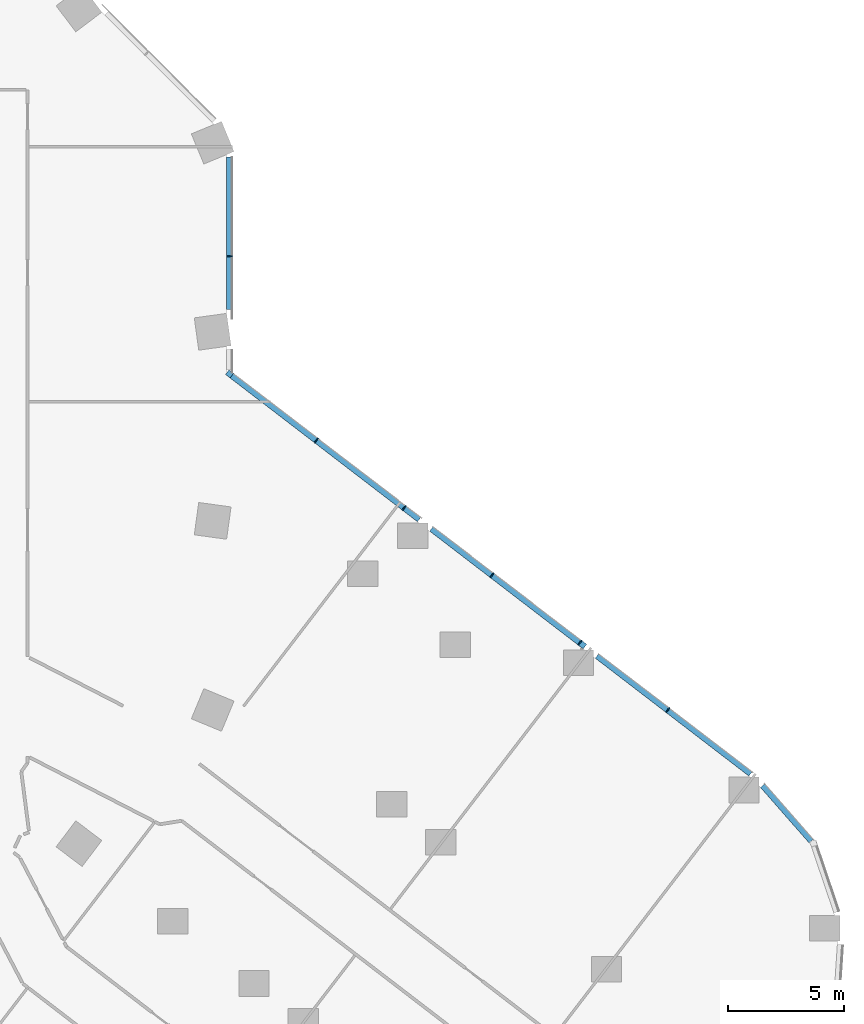
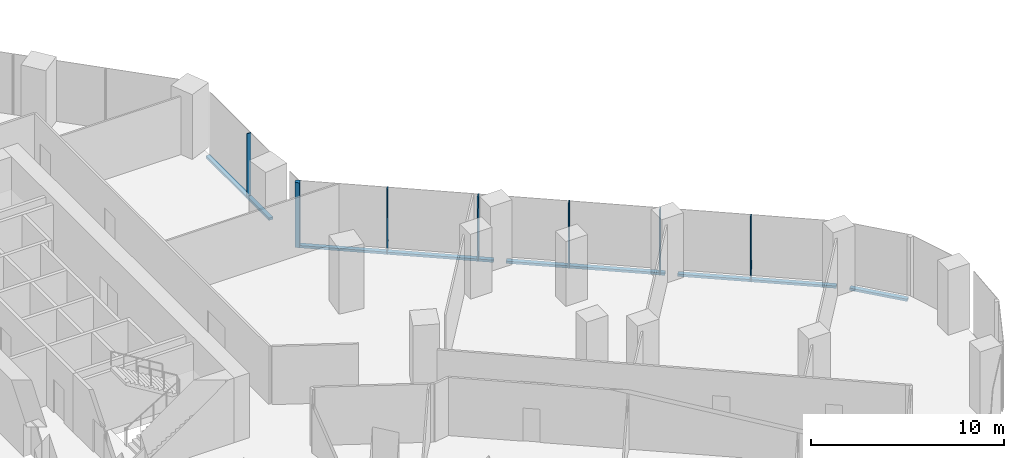
# One storey, part 9 of 29: 12 members, 3 elements without a shape of their own.
"""IFC4 building model written with IfcOpenShell, lengths in metres."""

import ifcopenshell
import ifcopenshell.guid

model = None  # the IFC model being written
_history = None  # IfcOwnerHistory: only IFC2X3 demands one
_inside = {}  # id of a spatial element -> (the spatial element, [elements in it])
_under = {}  # id of a project, library or spatial element -> (it, [spatial elements below it])
_declared = {}  # id of a project -> (the project, [libraries it declares])
_typed = {}  # id of a type object -> (the type object, [elements of that type])
_made_of = {}  # id of a material, layer set ... -> (it, [elements and type objects made of it])


def new_model(schema):
    """Start an empty IFC model of exactly this schema.

    Asked for "IFC4X3", IfcOpenShell would pick the latest addendum, in which some entities
    have other attributes; the version numbers below select the first issue.
    IFC2X3 requires an IfcOwnerHistory on every rooted entity: one is made here for all.
    """
    global model, _history
    if schema == "IFC4X3":
        model = ifcopenshell.file(schema_version=(4, 3, 0, 0))
    else:
        model = ifcopenshell.file(schema=schema)
    _inside.clear()
    _under.clear()
    _declared.clear()
    _typed.clear()
    _made_of.clear()
    _history = None
    if model.schema == "IFC2X3":
        org = make("IfcOrganization", Name="unknown")
        user = make(
            "IfcPersonAndOrganization",
            ThePerson=make("IfcPerson", FamilyName="unknown"),
            TheOrganization=org,
        )
        app = make(
            "IfcApplication",
            ApplicationDeveloper=org,
            Version="unknown",
            ApplicationFullName="unknown",
            ApplicationIdentifier="unknown",
        )
        _history = make(
            "IfcOwnerHistory",
            OwningUser=user,
            OwningApplication=app,
            ChangeAction="ADDED",
            CreationDate=0,
        )
    return model


def make(cls, **values):
    """One entity of the class cls with the attributes given. An attribute that is None is left unset."""
    return model.create_entity(
        cls, **{name: value for name, value in values.items() if value is not None}
    )


def rooted(cls, **values):
    """An entity with a GlobalId (a new one), such as an element, a storey or a relation."""
    return make(cls, GlobalId=ifcopenshell.guid.new(), OwnerHistory=_history, **values)


def si_unit(unit_type, name, prefix=None):
    """IfcSIUnit, for example si_unit("LENGTHUNIT", "METRE", prefix="MILLI")."""
    return make("IfcSIUnit", UnitType=unit_type, Prefix=prefix, Name=name)


def assignment(units):
    """IfcUnitAssignment: the units of a project."""
    return None if units is None else make("IfcUnitAssignment", Units=units)


def point(xyz):
    """IfcCartesianPoint."""
    return None if xyz is None else make("IfcCartesianPoint", Coordinates=xyz)


def direction(xyz):
    """IfcDirection."""
    return None if xyz is None else make("IfcDirection", DirectionRatios=xyz)


def frame(location, z_axis=None, x_axis=None):
    """IfcAxis2Placement3D, a coordinate frame: its origin and axes. An axis left out is left unset."""
    return make(
        "IfcAxis2Placement3D",
        Location=point(location),
        Axis=direction(z_axis),
        RefDirection=direction(x_axis),
    )


def frame_2d(location, x_axis=None):
    """IfcAxis2Placement2D, a coordinate frame in the plane: its origin and x axis."""
    return make(
        "IfcAxis2Placement2D", Location=point(location), RefDirection=direction(x_axis)
    )


def origin():
    """The frame at (0, 0, 0) with its axes left unset."""
    return frame((0.0, 0.0, 0.0))


def origin_2d():
    """The frame at (0, 0) in the plane with its x axis left unset."""
    return frame_2d((0.0, 0.0))


def place(relative_to, where):
    """IfcLocalPlacement: puts the frame where relative to a parent placement (None: the world)."""
    return make(
        "IfcLocalPlacement", PlacementRelTo=relative_to, RelativePlacement=where
    )


def context(
    kind, dimensions, precision=None, world=None, true_north=None, identifier=None
):
    """IfcGeometricRepresentationContext, for example the 3D "Model" context."""
    return make(
        "IfcGeometricRepresentationContext",
        ContextIdentifier=identifier,
        ContextType=kind,
        CoordinateSpaceDimension=dimensions,
        Precision=precision,
        WorldCoordinateSystem=world,
        TrueNorth=true_north,
    )


def subcontext(parent, identifier, kind, view, scale=None):
    """IfcGeometricRepresentationSubContext, for example "Body" below "Model"."""
    return make(
        "IfcGeometricRepresentationSubContext",
        ContextIdentifier=identifier,
        ContextType=kind,
        ParentContext=parent,
        TargetScale=scale,
        TargetView=view,
    )


def project(units=None, contexts=None):
    """IfcProject with its units and contexts."""
    return rooted(
        "IfcProject",
        Name="project",
        RepresentationContexts=contexts,
        UnitsInContext=assignment(units),
    )


def spatial(cls, under=None, at=None, **own):
    """A site, building, storey or space (cls), placed at a placement, below another one or the project."""
    s = rooted(cls, ObjectPlacement=at, **own)
    if under is not None:
        _under.setdefault(under.id(), (under, []))[1].append(s)
    return s


def profile(cls, at=None, kind="AREA", **sizes):
    """A parametric profile (cls). Its sizes go by their IFC names, for example OverallWidth=200.0."""
    return make(cls, ProfileType=kind, Position=at, **sizes)


def rectangle(**sizes):
    """IfcRectangleProfileDef."""
    return profile("IfcRectangleProfileDef", **sizes)


def extrude(swept, where, along, depth):
    """IfcExtrudedAreaSolid: the profile swept, set in the frame where, extruded along a direction by depth."""
    return make(
        "IfcExtrudedAreaSolid",
        SweptArea=swept,
        Position=where,
        ExtrudedDirection=direction(along),
        Depth=depth,
    )


def shape(context_of_items, identifier, shape_type, items):
    """IfcShapeRepresentation: the items that make up one representation, for example the "Body"."""
    return make(
        "IfcShapeRepresentation",
        ContextOfItems=context_of_items,
        RepresentationIdentifier=identifier,
        RepresentationType=shape_type,
        Items=items,
    )


def material(Name=None, Category=None):
    """IfcMaterial."""
    return make("IfcMaterial", Name=Name, Category=Category)


def material_profile(
    of_material, cross_section, Name=None, Category=None, Priority=None
):
    """IfcMaterialProfile: a cross section and its material."""
    return make(
        "IfcMaterialProfile",
        Name=Name,
        Material=of_material,
        Profile=cross_section,
        Priority=Priority,
        Category=Category,
    )


def profile_set(profiles, Name=None, composite=None):
    """IfcMaterialProfileSet."""
    return make(
        "IfcMaterialProfileSet",
        Name=Name,
        MaterialProfiles=profiles,
        CompositeProfile=composite,
    )


def made_of(thing, what):
    """Note that an element or type object is made of a material, layer set ...; save() writes the relation."""
    if what is not None:
        _made_of.setdefault(what.id(), (what, []))[1].append(thing)
    return thing


def type_object(cls, material=None, **own):
    """A type object (cls), such as IfcWallType, which elements share."""
    return made_of(rooted(cls, **own), material)


def element(
    cls,
    number,
    at=None,
    inside=None,
    cuts=None,
    type_object=None,
    material=None,
    context=None,
    identifier="Body",
    shape_type=None,
    held_by="IfcProductDefinitionShape",
    body=None,
    shapes=None,
    **own,
):
    """One element of the class cls, such as IfcWall. Its Tag is "e" and its number.

    at: its placement. inside: the storey or other place that contains it. cuts: it is an
    opening in that element (IfcRelVoidsElement). A single representation is given by context,
    identifier, shape_type and body (its items); several are given by shapes. held_by: the class
    of the entity that holds the representations. save() writes the other relations.
    """
    e = rooted(cls, Tag="e%d" % number, ObjectPlacement=at, **own)
    if body is not None:
        shapes = [shape(context, identifier, shape_type, body)]
    if shapes is not None:
        e.Representation = make(held_by, Representations=shapes)
    if inside is not None:
        _inside.setdefault(inside.id(), (inside, []))[1].append(e)
    if cuts is not None:
        rooted(
            "IfcRelVoidsElement", RelatingBuildingElement=cuts, RelatedOpeningElement=e
        )
    if type_object is not None:
        _typed.setdefault(type_object.id(), (type_object, []))[1].append(e)
    return made_of(e, material)


def aggregate(whole, parts):
    """IfcRelAggregates: a whole, such as a stair, and the parts it consists of."""
    return rooted("IfcRelAggregates", RelatingObject=whole, RelatedObjects=parts)


def save(model, path):
    """Write the relations noted so far, then the file.

    IfcRelAggregates (storeys below a building ...), IfcRelContainedInSpatialStructure (elements
    in a storey), IfcRelDefinesByType, IfcRelAssociatesMaterial and IfcRelDeclares: one each for
    every whole, place, type object, material and project.
    """
    for whole, parts in _under.values():
        aggregate(whole, parts)
    for where, things in _inside.values():
        rooted(
            "IfcRelContainedInSpatialStructure",
            RelatedElements=things,
            RelatingStructure=where,
        )
    for kind, things in _typed.values():
        rooted("IfcRelDefinesByType", RelatedObjects=things, RelatingType=kind)
    for what, things in _made_of.values():
        rooted("IfcRelAssociatesMaterial", RelatedObjects=things, RelatingMaterial=what)
    for by, libraries in _declared.values():
        rooted("IfcRelDeclares", RelatingContext=by, RelatedDefinitions=libraries)
    model.write(path)


model = new_model("IFC4")

# Units and contexts
model_context = context("Model", 3, precision=1e-05, world=origin(), true_north=direction((0.0, 1.0)))
body_context = subcontext(model_context, "Body", "Model", "MODEL_VIEW")
ifc_project = project(units=[si_unit("LENGTHUNIT", "METRE"), si_unit("AREAUNIT", "SQUARE_METRE"), si_unit("VOLUMEUNIT", "CUBIC_METRE"), si_unit("PLANEANGLEUNIT", "RADIAN"), si_unit("MASSUNIT", "GRAM", prefix="KILO")], contexts=[model_context])

# Site, building, storey
site_placement = place(None, origin())
site = spatial("IfcSite", under=ifc_project, at=site_placement, CompositionType="ELEMENT")
building_placement = place(site_placement, origin())
building = spatial("IfcBuilding", under=site, at=building_placement, Name="Orlundy Tower", CompositionType="ELEMENT")
storey_placement = place(building_placement, frame((0.0, 0.0, 25.10009765625)))
storey = spatial("IfcBuildingStorey", under=building, at=storey_placement, Name="L04", CompositionType="ELEMENT", Elevation=25.10009765625)

# Curtain wall, member
ifc_material_1 = material(Name="Aluminium bronze anodised", Category="aluminium")
curtain_wall_type = type_object("IfcCurtainWallType", Name="CW2 wall", PredefinedType="NOTDEFINED", material=ifc_material_1)
curtain_wall_1_placement = place(storey_placement, origin())
curtain_wall_1 = element("IfcCurtainWall", 1, at=curtain_wall_1_placement, inside=storey, type_object=curtain_wall_type, Name="CW2 run 018", PredefinedType="NOTDEFINED")
ifc_material_2 = material(Name="Aluminium bronze anodised", Category="aluminium")
ifc_material_profile_1 = material_profile(ifc_material_2, rectangle(XDim=0.25, YDim=0.25, at=origin_2d()), Name="CW2 corner post 250x250")
ifc_profile_set_1 = profile_set([ifc_material_profile_1], Name="Aluminium bronze anodised")
member_type_1 = type_object("IfcMemberType", Name="CW2 corner post 250x250", PredefinedType="MULLION", material=ifc_profile_set_1)
member_1_placement = place(storey_placement, frame((30.125, 2.251708984375, -0.420166015625), z_axis=(0.0, 0.0, 1.0), x_axis=(0.608778774146, 0.793340030598, 0.0)))
member_1 = element("IfcMember", 2, at=member_1_placement, type_object=member_type_1, Name="CW2 mullion 51", PredefinedType="MULLION", context=body_context, shape_type="SweptSolid", body=[
    extrude(rectangle(XDim=0.25, YDim=0.25, at=origin_2d()), origin(), (0.0, 0.0, 1.0), 4.1201171875),
])

curtain_wall_2_placement = place(storey_placement, origin())
curtain_wall_2 = element("IfcCurtainWall", 3, at=curtain_wall_2_placement, inside=storey, type_object=curtain_wall_type, Name="CW2 run 017", PredefinedType="NOTDEFINED")
ifc_material_3 = material(Name="Aluminium bronze anodised", Category="aluminium")
ifc_material_profile_2 = material_profile(ifc_material_3, rectangle(XDim=0.25, YDim=0.050048828125, at=origin_2d()), Name="CW2 mullion 50x250")
ifc_profile_set_2 = profile_set([ifc_material_profile_2], Name="Aluminium bronze anodised")
member_type_2 = type_object("IfcMemberType", Name="CW2 mullion 50x250", PredefinedType="MULLION", material=ifc_profile_set_2)
member_2_placement = place(storey_placement, frame((30.125, 7.30810546875, -0.420166015625), z_axis=(0.0, 0.0, 1.0), x_axis=(1.0, 0.0, 0.0)))
member_2 = element("IfcMember", 4, at=member_2_placement, type_object=member_type_2, Name="CW2 mullion 50", PredefinedType="MULLION", context=body_context, shape_type="SweptSolid", body=[
    extrude(rectangle(XDim=0.25, YDim=0.050048828125, at=origin_2d()), origin(), (0.0, 0.0, 1.0), 4.1201171875),
])

# Member
member_3_placement = place(storey_placement, frame((33.848876953125, -0.605712890625, -0.420166015625), z_axis=(0.0, 0.0, 1.0), x_axis=(0.608778774146, 0.793340030598, 0.0)))
member_3 = element("IfcMember", 5, at=member_3_placement, type_object=member_type_2, Name="CW2 mullion 52", PredefinedType="MULLION", context=body_context, shape_type="SweptSolid", body=[
    extrude(rectangle(XDim=0.25, YDim=0.050048828125, at=origin_2d()), origin(), (0.0, 0.0, 1.0), 4.1201171875),
])

member_4_placement = place(storey_placement, frame((37.621337890625, -3.500732421875, -0.420166015625), z_axis=(0.0, 0.0, 1.0), x_axis=(0.608778774146, 0.793340030598, 0.0)))
member_4 = element("IfcMember", 6, at=member_4_placement, type_object=member_type_2, Name="CW2 mullion 53", PredefinedType="MULLION", context=body_context, shape_type="SweptSolid", body=[
    extrude(rectangle(XDim=0.25, YDim=0.050048828125, at=origin_2d()), origin(), (0.0, 0.0, 1.0), 4.1201171875),
])

member_5_placement = place(storey_placement, frame((41.39404296875, -6.395751953125, -0.420166015625), z_axis=(0.0, 0.0, 1.0), x_axis=(0.608778774146, 0.793340030598, 0.0)))
member_5 = element("IfcMember", 7, at=member_5_placement, type_object=member_type_2, Name="CW2 mullion 54", PredefinedType="MULLION", context=body_context, shape_type="SweptSolid", body=[
    extrude(rectangle(XDim=0.25, YDim=0.050048828125, at=origin_2d()), origin(), (0.0, 0.0, 1.0), 4.1201171875),
])

member_6_placement = place(storey_placement, frame((45.166748046875, -9.290771484375, -0.420166015625), z_axis=(0.0, 0.0, 1.0), x_axis=(0.608778774146, 0.793340030598, 0.0)))
member_6 = element("IfcMember", 8, at=member_6_placement, type_object=member_type_2, Name="CW2 mullion 55", PredefinedType="MULLION", context=body_context, shape_type="SweptSolid", body=[
    extrude(rectangle(XDim=0.25, YDim=0.050048828125, at=origin_2d()), origin(), (0.0, 0.0, 1.0), 4.1201171875),
])

member_7_placement = place(storey_placement, frame((48.939453125, -12.185791015625, -0.420166015625), z_axis=(0.0, 0.0, 1.0), x_axis=(0.608778774146, 0.793340030598, 0.0)))
member_7 = element("IfcMember", 9, at=member_7_placement, type_object=member_type_2, Name="CW2 mullion 56", PredefinedType="MULLION", context=body_context, shape_type="SweptSolid", body=[
    extrude(rectangle(XDim=0.25, YDim=0.050048828125, at=origin_2d()), origin(), (0.0, 0.0, 1.0), 4.1201171875),
])

ifc_material_4 = material(Name="Aluminium bronze anodised", Category="aluminium")
ifc_material_profile_3 = material_profile(ifc_material_4, rectangle(XDim=0.25, YDim=0.14990234375, at=origin_2d()), Name="CW2 transom 250x150")
ifc_profile_set_3 = profile_set([ifc_material_profile_3], Name="Aluminium bronze anodised")
member_type_3 = type_object("IfcMemberType", Name="CW2 transom 250x150", PredefinedType="USERDEFINED", material=ifc_profile_set_3)
member_8_placement = place(storey_placement, frame((30.125, 11.558349609375, -0.34521484375), z_axis=(0.0, -1.0, 0.0), x_axis=(1.0, 0.0, 0.0)))
member_8 = element("IfcMember", 10, at=member_8_placement, type_object=member_type_3, Name="CW2 transom", ObjectType="TRANSOM", PredefinedType="USERDEFINED", context=body_context, shape_type="SweptSolid", body=[
    extrude(rectangle(XDim=0.25, YDim=0.14990234375, at=origin_2d()), origin(), (0.0, 0.0, 1.0), 6.541259765625),
])

aggregate(curtain_wall_2, [member_2, member_8])

member_9_placement = place(storey_placement, frame((30.22412109375, 2.175537109375, -0.34521484375), z_axis=(0.793338529659, -0.608780730115, 0.0), x_axis=(0.608780730115, 0.793338529659, 0.0)))
member_9 = element("IfcMember", 11, at=member_9_placement, type_object=member_type_3, Name="CW2 transom", ObjectType="TRANSOM", PredefinedType="USERDEFINED", context=body_context, shape_type="SweptSolid", body=[
    extrude(rectangle(XDim=0.25, YDim=0.14990234375, at=origin_2d()), origin(), (0.0, 0.0, 1.0), 10.140869140625),
])

member_10_placement = place(storey_placement, frame((38.791015625, -4.398193359375, -0.34521484375), z_axis=(0.793330115925, -0.608791694396, 0.0), x_axis=(0.608791694396, 0.793330115925, 0.0)))
member_10 = element("IfcMember", 12, at=member_10_placement, type_object=member_type_3, Name="CW2 transom", ObjectType="TRANSOM", PredefinedType="USERDEFINED", context=body_context, shape_type="SweptSolid", body=[
    extrude(rectangle(XDim=0.25, YDim=0.14990234375, at=origin_2d()), origin(), (0.0, 0.0, 1.0), 8.3095703125),
])

member_11_placement = place(storey_placement, frame((45.904052734375, -9.8564453125, -0.34521484375), z_axis=(0.793333416806, -0.60878739292, 0.0), x_axis=(0.60878739292, 0.793333416806, 0.0)))
member_11 = element("IfcMember", 13, at=member_11_placement, type_object=member_type_3, Name="CW2 transom", ObjectType="TRANSOM", PredefinedType="USERDEFINED", context=body_context, shape_type="SweptSolid", body=[
    extrude(rectangle(XDim=0.25, YDim=0.14990234375, at=origin_2d()), origin(), (0.0, 0.0, 1.0), 8.309326171875),
])

aggregate(curtain_wall_1, [member_1, member_3, member_4, member_5, member_6, member_7, member_9, member_10, member_11])

# Curtain wall, member
curtain_wall_3_placement = place(storey_placement, origin())
curtain_wall_3 = element("IfcCurtainWall", 14, at=curtain_wall_3_placement, inside=storey, type_object=curtain_wall_type, Name="CW2 run 019", PredefinedType="NOTDEFINED")
member_12_placement = place(storey_placement, frame((53.01806640625, -15.426025390625, -0.34521484375), z_axis=(0.659302964392, -0.751877384381, 0.0), x_axis=(0.751877384381, 0.659302964392, 0.0)))
member_12 = element("IfcMember", 15, at=member_12_placement, type_object=member_type_3, Name="CW2 transom", ObjectType="TRANSOM", PredefinedType="USERDEFINED", context=body_context, shape_type="SweptSolid", body=[
    extrude(rectangle(XDim=0.25, YDim=0.14990234375, at=origin_2d()), origin(), (0.0, 0.0, 1.0), 3.159423828125),
])
aggregate(curtain_wall_3, [member_12])

save(model, "model.ifc")
